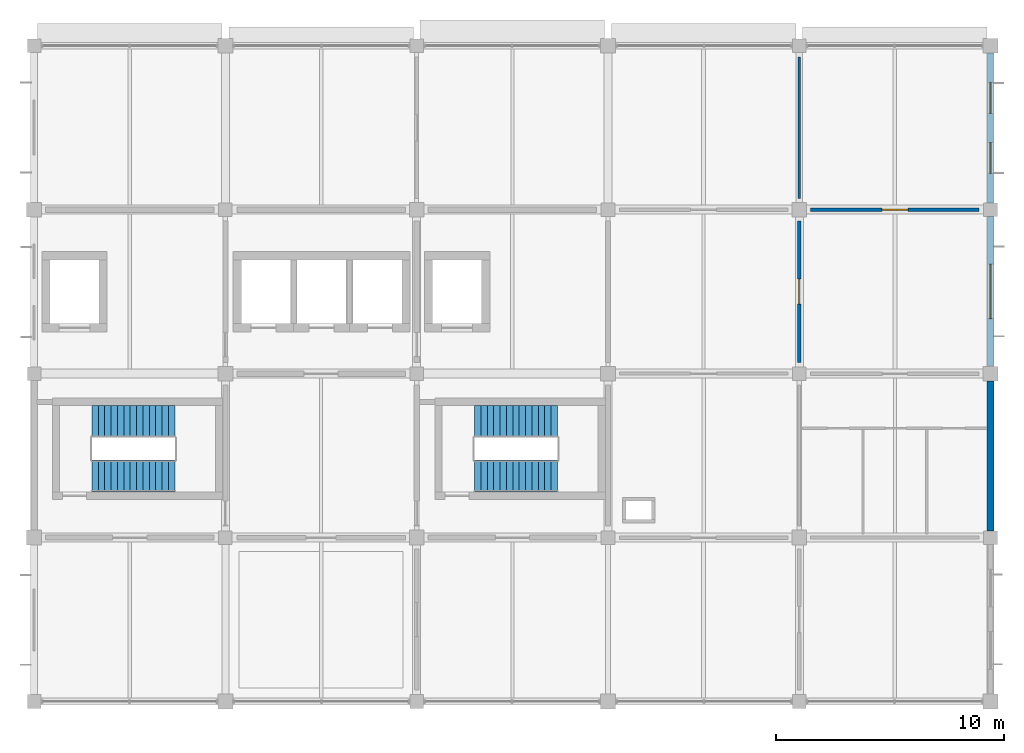
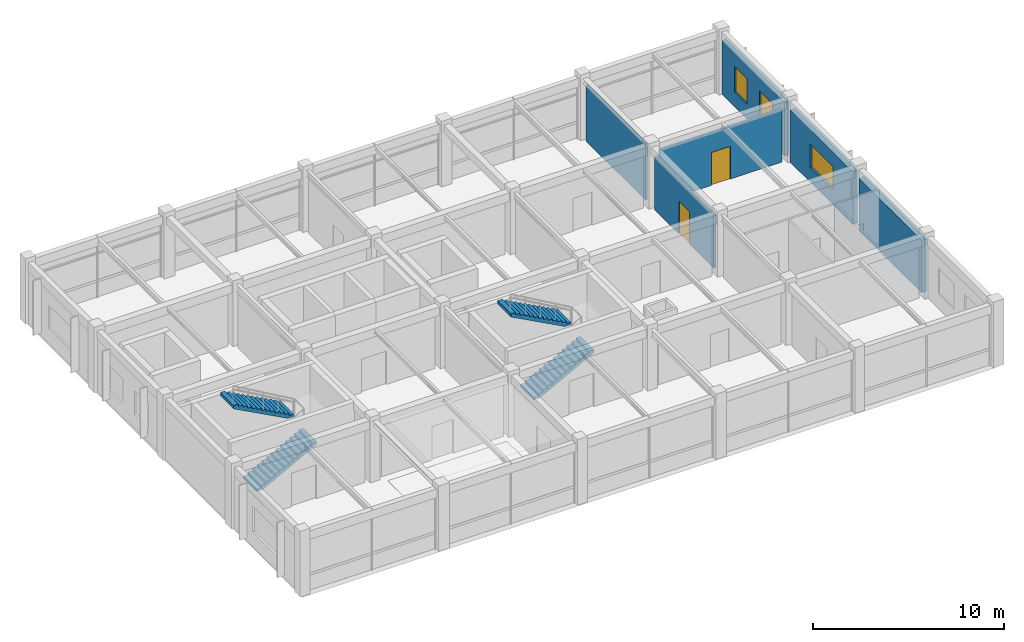
# One storey, part 10 of 11: 6 walls, 4 stair flights, 3 windows, 2 doors, 5 openings, 2 elements without a shape of their own.
"""IFC4 building model written with IfcOpenShell, lengths in metres."""

from ifc_helpers import new_model, si_unit, derived_unit, direction, frame, frame_2d, origin, place, context, subcontext, project, spatial, polyline, rectangle, outline, extrude, material, layer, layer_set, type_object, element, fill, aggregate, save


model = new_model("IFC4")

# Units and contexts
model_context = context("Model", 3, precision=1e-05, world=origin(), true_north=direction((0.0, 1.0)))
body_context = subcontext(model_context, "Body", "Model", "MODEL_VIEW")
ifc_project = project(units=[si_unit("LENGTHUNIT", "METRE"), si_unit("AREAUNIT", "SQUARE_METRE"), si_unit("VOLUMEUNIT", "CUBIC_METRE"), si_unit("PLANEANGLEUNIT", "RADIAN"), si_unit("MASSUNIT", "GRAM", prefix="KILO"), derived_unit("THERMALTRANSMITTANCEUNIT", [(si_unit("MASSUNIT", "GRAM", prefix="KILO"), 1), (si_unit("TIMEUNIT", "SECOND"), -3), (si_unit("THERMODYNAMICTEMPERATUREUNIT", "KELVIN"), -1)])], contexts=[model_context])

# Site, building, storey
site_placement = place(None, origin())
site = spatial("IfcSite", under=ifc_project, at=site_placement, CompositionType="ELEMENT")
building_placement = place(site_placement, origin())
building = spatial("IfcBuilding", under=site, at=building_placement, Name="Veldstrom Oceanarium and Marine Research Institute", CompositionType="ELEMENT")
storey_placement = place(building_placement, frame((0.0, 0.0, 48.0)))
storey = spatial("IfcBuildingStorey", under=building, at=storey_placement, Name="L10", CompositionType="ELEMENT", Elevation=48.0)

# Wall
ifc_material_1 = material(Name="Masonry Cavity Wall", Category="masonry")
ifc_layer_1 = layer(ifc_material_1, 0.31005859375)
ifc_layer_set_1 = layer_set([ifc_layer_1], Name="ARC-WAL-EW1")
wall_type_1 = type_object("IfcWallType", Name="ARC-WAL-EW1", PredefinedType="SOLIDWALL", material=ifc_layer_set_1)
wall_1_placement = place(storey_placement, frame((117.60009765625, 50.699951171875, 0.0), z_axis=(0.0, 0.0, 1.0), x_axis=(0.0, 1.0, 0.0)))
element("IfcWall", 1, at=wall_1_placement, inside=storey, type_object=wall_type_1, Name="Exterior Facade Wall EW1 L10-228", PredefinedType="SOLIDWALL", context=body_context, shape_type="SweptSolid", body=[
    extrude(rectangle(XDim=6.574951171875, YDim=0.31005859375, at=frame_2d((3.28759765625, 0.0))), origin(), (0.0, 0.0, 1.0), 3.364990234375),
])

# Wall, opening, window
ifc_material_2 = material(Name="Masonry Cavity Wall", Category="masonry")
ifc_layer_2 = layer(ifc_material_2, 0.2900390625)
ifc_layer_set_2 = layer_set([ifc_layer_2], Name="ARC-WAL-EW2")
wall_type_2 = type_object("IfcWallType", Name="ARC-WAL-EW2", PredefinedType="SOLIDWALL", material=ifc_layer_set_2)
wall_2_placement = place(storey_placement, frame((117.60009765625, 57.925048828125, 0.0), z_axis=(0.0, 0.0, 1.0), x_axis=(0.0, 1.0, 0.0)))
wall_2 = element("IfcWall", 2, at=wall_2_placement, inside=storey, type_object=wall_type_2, Name="Exterior Facade Wall EW2 L10-229", PredefinedType="SOLIDWALL", context=body_context, shape_type="SweptSolid", body=[
    extrude(rectangle(XDim=6.574951171875, YDim=0.2900390625, at=frame_2d((3.28759765625, 0.0))), origin(), (0.0, 0.0, 1.0), 3.364990234375),
])
opening_1_placement = place(wall_2_placement, frame((2.08740234375, 0.0, 0.949951171875)))
opening_1 = element("IfcOpeningElement", 3, at=opening_1_placement, cuts=wall_2, Name="Opening W13", PredefinedType="OPENING", context=body_context, shape_type="SweptSolid", body=[
    extrude(rectangle(XDim=2.39990234375, YDim=1.5, at=frame_2d((1.199951171875, 0.75))), frame((0.0, 0.155029296875, 0.0), z_axis=(0.0, -1.0, 0.0), x_axis=(1.0, 0.0, 0.0)), (0.0, 0.0, 1.0), 0.31005859375),
])
ifc_material_3 = material(Name="Double Glazed Low-E IGU", Category="glass")
window_type_1 = type_object("IfcWindowType", Name="ARC-WIN-W13", PartitioningType="SINGLE_PANEL", PredefinedType="WINDOW", material=ifc_material_3)
window_1_placement = place(opening_1_placement, origin())
window_1 = element("IfcWindow", 4, at=window_1_placement, inside=storey, type_object=window_type_1, Name="Facade Window W13 L10-0206", OverallHeight=1.5, OverallWidth=2.39990234375, PartitioningType="SINGLE_PANEL", PredefinedType="WINDOW", context=body_context, shape_type="SweptSolid", body=[
    extrude(rectangle(XDim=2.39990234375, YDim=1.5, at=frame_2d((1.199951171875, 0.75))), frame((0.0, 0.030029296875, 0.0), z_axis=(0.0, -1.0, 0.0), x_axis=(1.0, 0.0, 0.0)), (0.0, 0.0, 1.0), 0.06005859375),
])
fill(opening_1, window_1)

# Wall, openings, windows
ifc_material_4 = material(Name="Masonry Cavity Wall", Category="masonry")
ifc_layer_3 = layer(ifc_material_4, 0.27001953125)
ifc_layer_set_3 = layer_set([ifc_layer_3], Name="ARC-WAL-EW3")
wall_type_3 = type_object("IfcWallType", Name="ARC-WAL-EW3", PredefinedType="SOLIDWALL", material=ifc_layer_set_3)
wall_3_placement = place(storey_placement, frame((117.60009765625, 65.10009765625, 0.0), z_axis=(0.0, 0.0, 1.0), x_axis=(0.0, 1.0, 0.0)))
wall_3 = element("IfcWall", 5, at=wall_3_placement, inside=storey, type_object=wall_type_3, Name="Exterior Facade Wall EW3 L10-230", PredefinedType="SOLIDWALL", context=body_context, shape_type="SweptSolid", body=[
    extrude(rectangle(XDim=6.574951171875, YDim=0.27001953125, at=frame_2d((3.28759765625, 0.0))), origin(), (0.0, 0.0, 1.0), 3.445068359375),
])
opening_2_placement = place(wall_3_placement, frame((1.291748046875, 0.0, 0.949951171875)))
opening_2 = element("IfcOpeningElement", 6, at=opening_2_placement, cuts=wall_3, Name="Opening W24", PredefinedType="OPENING", context=body_context, shape_type="SweptSolid", body=[
    extrude(rectangle(XDim=1.35009765625, YDim=1.64990234375, at=frame_2d((0.675048828125, 0.824951171875))), frame((0.0, 0.14501953125, 0.0), z_axis=(0.0, -1.0, 0.0), x_axis=(1.0, 0.0, 0.0)), (0.0, 0.0, 1.0), 0.2900390625),
])
opening_3_placement = place(wall_3_placement, frame((3.933349609375, 0.0, 0.949951171875)))
opening_3 = element("IfcOpeningElement", 7, at=opening_3_placement, cuts=wall_3, Name="Opening W24", PredefinedType="OPENING", context=body_context, shape_type="SweptSolid", body=[
    extrude(rectangle(XDim=1.35009765625, YDim=1.64990234375, at=frame_2d((0.675048828125, 0.824951171875))), frame((0.0, 0.14501953125, 0.0), z_axis=(0.0, -1.0, 0.0), x_axis=(1.0, 0.0, 0.0)), (0.0, 0.0, 1.0), 0.2900390625),
])
ifc_material_5 = material(Name="Double Glazed Low-E IGU", Category="glass")
window_type_2 = type_object("IfcWindowType", Name="ARC-WIN-W24", PartitioningType="SINGLE_PANEL", PredefinedType="WINDOW", material=ifc_material_5)
window_2_placement = place(opening_2_placement, origin())
window_2 = element("IfcWindow", 8, at=window_2_placement, inside=storey, type_object=window_type_2, Name="Facade Window W24 L10-0207", OverallHeight=1.64990234375, OverallWidth=1.35009765625, PartitioningType="SINGLE_PANEL", PredefinedType="WINDOW", context=body_context, shape_type="SweptSolid", body=[
    extrude(rectangle(XDim=1.35009765625, YDim=1.64990234375, at=frame_2d((0.675048828125, 0.824951171875))), frame((0.0, 0.030029296875, 0.0), z_axis=(0.0, -1.0, 0.0), x_axis=(1.0, 0.0, 0.0)), (0.0, 0.0, 1.0), 0.06005859375),
])
fill(opening_2, window_2)
window_3_placement = place(opening_3_placement, origin())
window_3 = element("IfcWindow", 9, at=window_3_placement, inside=storey, type_object=window_type_2, Name="Facade Window W24 L10-0208", OverallHeight=1.64990234375, OverallWidth=1.35009765625, PartitioningType="SINGLE_PANEL", PredefinedType="WINDOW", context=body_context, shape_type="SweptSolid", body=[
    extrude(rectangle(XDim=1.35009765625, YDim=1.64990234375, at=frame_2d((0.675048828125, 0.824951171875))), frame((0.0, 0.030029296875, 0.0), z_axis=(0.0, -1.0, 0.0), x_axis=(1.0, 0.0, 0.0)), (0.0, 0.0, 1.0), 0.06005859375),
])
fill(opening_3, window_3)

# Wall, opening, door
ifc_material_6 = material(Name="Drywall Corridor Partition", Category="gypsum")
ifc_layer_4 = layer(ifc_material_6, 0.155029296875)
ifc_layer_set_4 = layer_set([ifc_layer_4], Name="ARC-WAL-PT4")
wall_type_4 = type_object("IfcWallType", Name="ARC-WAL-PT4", PredefinedType="PARTITIONING", material=ifc_layer_set_4)
wall_4_placement = place(storey_placement, frame((109.199951171875, 58.10009765625, 0.0), z_axis=(0.0, 0.0, 1.0), x_axis=(0.0, 1.0, 0.0)))
wall_4 = element("IfcWall", 10, at=wall_4_placement, inside=storey, type_object=wall_type_4, Name="Interior Partition PT4 L10-1656", PredefinedType="PARTITIONING", context=body_context, shape_type="SweptSolid", body=[
    extrude(rectangle(XDim=6.199951171875, YDim=0.155029296875, at=frame_2d((3.10009765625, 0.0))), origin(), (0.0, 0.0, 1.0), 3.4150390625),
])
opening_4_placement = place(wall_4_placement, frame((2.550048828125, 0.0, 0.0)))
opening_4 = element("IfcOpeningElement", 11, at=opening_4_placement, cuts=wall_4, Name="Opening D-L10-1010", PredefinedType="OPENING", context=body_context, shape_type="SweptSolid", body=[
    extrude(rectangle(XDim=1.10009765625, YDim=2.10009765625, at=frame_2d((0.550048828125, 1.050048828125))), frame((0.0, 0.08740234375, 0.0), z_axis=(0.0, -1.0, 0.0), x_axis=(1.0, 0.0, 0.0)), (0.0, 0.0, 1.0), 0.175048828125),
])
ifc_material_7 = material(Name="Research Office Door", Category="timber")
door_type_1 = type_object("IfcDoorType", Name="ARC-DOR-ID07", OperationType="SINGLE_SWING_LEFT", PredefinedType="DOOR", material=ifc_material_7)
door_1_placement = place(opening_4_placement, frame((1.10009765625, 0.0, 0.0), z_axis=(0.0, 0.0, 1.0), x_axis=(-1.0, 0.0, 0.0)))
door_1 = element("IfcDoor", 12, at=door_1_placement, inside=storey, type_object=door_type_1, Name="Interior Door D-L10-1010", OperationType="SINGLE_SWING_RIGHT", OverallHeight=2.10009765625, OverallWidth=1.10009765625, PredefinedType="DOOR", context=body_context, shape_type="SweptSolid", body=[
    extrude(rectangle(XDim=1.10009765625, YDim=2.10009765625, at=frame_2d((0.550048828125, 1.050048828125))), frame((0.0, 0.02490234375, 0.0), z_axis=(0.0, -1.0, 0.0), x_axis=(1.0, 0.0, 0.0)), (0.0, 0.0, 1.0), 0.050048828125),
])
fill(opening_4, door_1)

ifc_material_8 = material(Name="Moisture-Resistant Wet-Area Partition", Category="masonry")
ifc_layer_5 = layer(ifc_material_8, 0.139892578125)
ifc_layer_set_5 = layer_set([ifc_layer_5], Name="ARC-WAL-PT5")
wall_type_5 = type_object("IfcWallType", Name="ARC-WAL-PT5", PredefinedType="PARTITIONING", material=ifc_layer_set_5)
wall_5_placement = place(storey_placement, frame((109.699951171875, 64.800048828125, 0.0), z_axis=(0.0, 0.0, 1.0), x_axis=(1.0, 0.0, 0.0)))
wall_5 = element("IfcWall", 13, at=wall_5_placement, inside=storey, type_object=wall_type_5, Name="Interior Partition PT5 L10-1661", PredefinedType="PARTITIONING", context=body_context, shape_type="SweptSolid", body=[
    extrude(rectangle(XDim=7.400146484375, YDim=0.139892578125, at=frame_2d((3.7001953125, 0.0))), origin(), (0.0, 0.0, 1.0), 3.364990234375),
])
opening_5_placement = place(wall_5_placement, frame((3.125, 0.0, 0.0)))
opening_5 = element("IfcOpeningElement", 14, at=opening_5_placement, cuts=wall_5, Name="Opening D-L10-1013", PredefinedType="OPENING", context=body_context, shape_type="SweptSolid", body=[
    extrude(rectangle(XDim=1.14990234375, YDim=2.10009765625, at=frame_2d((0.574951171875, 1.050048828125))), frame((0.0, 0.079833984375, 0.0), z_axis=(0.0, -1.0, 0.0), x_axis=(1.0, 0.0, 0.0)), (0.0, 0.0, 1.0), 0.159912109375),
])
ifc_material_9 = material(Name="Fellows Studio Door", Category="timber")
door_type_2 = type_object("IfcDoorType", Name="ARC-DOR-ID17", OperationType="SINGLE_SWING_LEFT", PredefinedType="DOOR", material=ifc_material_9)
door_2_placement = place(opening_5_placement, origin())
door_2 = element("IfcDoor", 15, at=door_2_placement, inside=storey, type_object=door_type_2, Name="Interior Door D-L10-1013", OperationType="SINGLE_SWING_RIGHT", OverallHeight=2.10009765625, OverallWidth=1.14990234375, PredefinedType="DOOR", context=body_context, shape_type="SweptSolid", body=[
    extrude(rectangle(XDim=1.14990234375, YDim=2.10009765625, at=frame_2d((0.574951171875, 1.050048828125))), frame((0.0, 0.02490234375, 0.0), z_axis=(0.0, -1.0, 0.0), x_axis=(1.0, 0.0, 0.0)), (0.0, 0.0, 1.0), 0.050048828125),
])
fill(opening_5, door_2)

# Wall
ifc_material_10 = material(Name="Lightweight Studio Partition", Category="gypsum")
ifc_layer_6 = layer(ifc_material_10, 0.1201171875)
ifc_layer_set_6 = layer_set([ifc_layer_6], Name="ARC-WAL-PT6")
wall_type_6 = type_object("IfcWallType", Name="ARC-WAL-PT6", PredefinedType="PARTITIONING", material=ifc_layer_set_6)
wall_6_placement = place(storey_placement, frame((109.199951171875, 65.300048828125, 0.0), z_axis=(0.0, 0.0, 1.0), x_axis=(0.0, 1.0, 0.0)))
element("IfcWall", 16, at=wall_6_placement, inside=storey, type_object=wall_type_6, Name="Interior Partition PT6 L10-1658", PredefinedType="PARTITIONING", context=body_context, shape_type="SweptSolid", body=[
    extrude(rectangle(XDim=6.199951171875, YDim=0.1201171875, at=frame_2d((3.10009765625, 0.0))), origin(), (0.0, 0.0, 1.0), 3.625),
])

# Stair, stair flights
ifc_material_11 = material(Name="Concrete C40/50", Category="concrete")
stair_type = type_object("IfcStairType", Name="ARC-STR-ST-420", PredefinedType="TWO_STRAIGHT_RUN_STAIR", material=ifc_material_11)
stair_1_placement = place(storey_placement, origin())
stair_1 = element("IfcStair", 17, at=stair_1_placement, inside=storey, type_object=stair_type, Name="Dog-Leg Escape Stair ST1-L10", PredefinedType="TWO_STRAIGHT_RUN_STAIR")
ifc_material_12 = material(Name="Concrete C40/50", Category="concrete")
stair_flight_type = type_object("IfcStairFlightType", Name="ARC-STF-ST-420", PredefinedType="STRAIGHT", material=ifc_material_12)
stair_flight_1_placement = place(storey_placement, frame((78.139892578125, 53.10009765625, 0.0), z_axis=(0.0, 0.0, 1.0), x_axis=(1.0, 0.0, 0.0)))
stair_flight_1 = element("IfcStairFlight", 18, at=stair_flight_1_placement, type_object=stair_flight_type, Name="Stair Flight ST1-L10-1", NumberOfRisers=14, NumberOfTreads=13, PredefinedType="STRAIGHT", RiserHeight=0.15, TreadLength=0.28, context=body_context, shape_type="SweptSolid", body=[
    extrude(outline(polyline([(0.0, 0.0), (0.0, 0.14990234375), (0.280029296875, 0.14990234375), (0.280029296875, 0.300048828125), (0.56005859375, 0.300048828125), (0.56005859375, 0.449951171875), (0.840087890625, 0.449951171875), (0.840087890625, 0.60009765625), (1.1201171875, 0.60009765625), (1.1201171875, 0.75), (1.39990234375, 0.75), (1.39990234375, 0.89990234375), (1.679931640625, 0.89990234375), (1.679931640625, 1.050048828125), (1.9599609375, 1.050048828125), (1.9599609375, 1.199951171875), (2.239990234375, 1.199951171875), (2.239990234375, 1.35009765625), (2.52001953125, 1.35009765625), (2.52001953125, 1.5), (2.800048828125, 1.5), (2.800048828125, 1.64990234375), (3.080078125, 1.64990234375), (3.080078125, 1.800048828125), (3.360107421875, 1.800048828125), (3.360107421875, 1.949951171875), (3.639892578125, 1.949951171875), (3.639892578125, 2.10009765625), (3.639892578125, 1.745849609375), (0.381103515625, 0.0), (0.0, 0.0)])), frame((0.0, 0.699951171875, 0.0), z_axis=(0.0, -1.0, 0.0), x_axis=(1.0, 0.0, 0.0)), (0.0, 0.0, 1.0), 1.39990234375),
])
stair_flight_2_placement = place(storey_placement, frame((81.780029296875, 55.5, 2.10009765625), z_axis=(0.0, 0.0, 1.0), x_axis=(-1.0, 0.0, 0.0)))
stair_flight_2 = element("IfcStairFlight", 19, at=stair_flight_2_placement, type_object=stair_flight_type, Name="Stair Flight ST1-L10-2", NumberOfRisers=14, NumberOfTreads=13, PredefinedType="STRAIGHT", RiserHeight=0.15, TreadLength=0.28, context=body_context, shape_type="SweptSolid", body=[
    extrude(outline(polyline([(0.0, 0.0), (0.0, 0.14990234375), (0.280029296875, 0.14990234375), (0.280029296875, 0.300048828125), (0.56005859375, 0.300048828125), (0.56005859375, 0.449951171875), (0.840087890625, 0.449951171875), (0.840087890625, 0.60009765625), (1.1201171875, 0.60009765625), (1.1201171875, 0.75), (1.39990234375, 0.75), (1.39990234375, 0.89990234375), (1.679931640625, 0.89990234375), (1.679931640625, 1.050048828125), (1.9599609375, 1.050048828125), (1.9599609375, 1.199951171875), (2.239990234375, 1.199951171875), (2.239990234375, 1.35009765625), (2.52001953125, 1.35009765625), (2.52001953125, 1.5), (2.800048828125, 1.5), (2.800048828125, 1.64990234375), (3.080078125, 1.64990234375), (3.080078125, 1.800048828125), (3.360107421875, 1.800048828125), (3.360107421875, 1.949951171875), (3.639892578125, 1.949951171875), (3.639892578125, 2.10009765625), (3.639892578125, 1.745849609375), (0.381103515625, 0.0), (0.0, 0.0)])), frame((0.0, 0.699951171875, 0.0), z_axis=(0.0, -1.0, 0.0), x_axis=(1.0, 0.0, 0.0)), (0.0, 0.0, 1.0), 1.39990234375),
])
aggregate(stair_1, [stair_flight_1, stair_flight_2])

stair_2_placement = place(storey_placement, origin())
stair_2 = element("IfcStair", 20, at=stair_2_placement, inside=storey, type_object=stair_type, Name="Dog-Leg Escape Stair ST2-L10", PredefinedType="TWO_STRAIGHT_RUN_STAIR")
stair_flight_3_placement = place(storey_placement, frame((94.93994140625, 53.10009765625, 0.0), z_axis=(0.0, 0.0, 1.0), x_axis=(1.0, 0.0, 0.0)))
stair_flight_3 = element("IfcStairFlight", 21, at=stair_flight_3_placement, type_object=stair_flight_type, Name="Stair Flight ST2-L10-1", NumberOfRisers=14, NumberOfTreads=13, PredefinedType="STRAIGHT", RiserHeight=0.15, TreadLength=0.28, context=body_context, shape_type="SweptSolid", body=[
    extrude(outline(polyline([(0.0, 0.0), (0.0, 0.14990234375), (0.280029296875, 0.14990234375), (0.280029296875, 0.300048828125), (0.56005859375, 0.300048828125), (0.56005859375, 0.449951171875), (0.840087890625, 0.449951171875), (0.840087890625, 0.60009765625), (1.1201171875, 0.60009765625), (1.1201171875, 0.75), (1.39990234375, 0.75), (1.39990234375, 0.89990234375), (1.679931640625, 0.89990234375), (1.679931640625, 1.050048828125), (1.9599609375, 1.050048828125), (1.9599609375, 1.199951171875), (2.239990234375, 1.199951171875), (2.239990234375, 1.35009765625), (2.52001953125, 1.35009765625), (2.52001953125, 1.5), (2.800048828125, 1.5), (2.800048828125, 1.64990234375), (3.080078125, 1.64990234375), (3.080078125, 1.800048828125), (3.360107421875, 1.800048828125), (3.360107421875, 1.949951171875), (3.639892578125, 1.949951171875), (3.639892578125, 2.10009765625), (3.639892578125, 1.745849609375), (0.381103515625, 0.0), (0.0, 0.0)])), frame((0.0, 0.699951171875, 0.0), z_axis=(0.0, -1.0, 0.0), x_axis=(1.0, 0.0, 0.0)), (0.0, 0.0, 1.0), 1.39990234375),
])
stair_flight_4_placement = place(storey_placement, frame((98.580078125, 55.5, 2.10009765625), z_axis=(0.0, 0.0, 1.0), x_axis=(-1.0, 0.0, 0.0)))
stair_flight_4 = element("IfcStairFlight", 22, at=stair_flight_4_placement, type_object=stair_flight_type, Name="Stair Flight ST2-L10-2", NumberOfRisers=14, NumberOfTreads=13, PredefinedType="STRAIGHT", RiserHeight=0.15, TreadLength=0.28, context=body_context, shape_type="SweptSolid", body=[
    extrude(outline(polyline([(0.0, 0.0), (0.0, 0.14990234375), (0.280029296875, 0.14990234375), (0.280029296875, 0.300048828125), (0.56005859375, 0.300048828125), (0.56005859375, 0.449951171875), (0.840087890625, 0.449951171875), (0.840087890625, 0.60009765625), (1.1201171875, 0.60009765625), (1.1201171875, 0.75), (1.39990234375, 0.75), (1.39990234375, 0.89990234375), (1.679931640625, 0.89990234375), (1.679931640625, 1.050048828125), (1.9599609375, 1.050048828125), (1.9599609375, 1.199951171875), (2.239990234375, 1.199951171875), (2.239990234375, 1.35009765625), (2.52001953125, 1.35009765625), (2.52001953125, 1.5), (2.800048828125, 1.5), (2.800048828125, 1.64990234375), (3.080078125, 1.64990234375), (3.080078125, 1.800048828125), (3.360107421875, 1.800048828125), (3.360107421875, 1.949951171875), (3.639892578125, 1.949951171875), (3.639892578125, 2.10009765625), (3.639892578125, 1.745849609375), (0.381103515625, 0.0), (0.0, 0.0)])), frame((0.0, 0.699951171875, 0.0), z_axis=(0.0, -1.0, 0.0), x_axis=(1.0, 0.0, 0.0)), (0.0, 0.0, 1.0), 1.39990234375),
])
aggregate(stair_2, [stair_flight_3, stair_flight_4])

save(model, "model.ifc")
